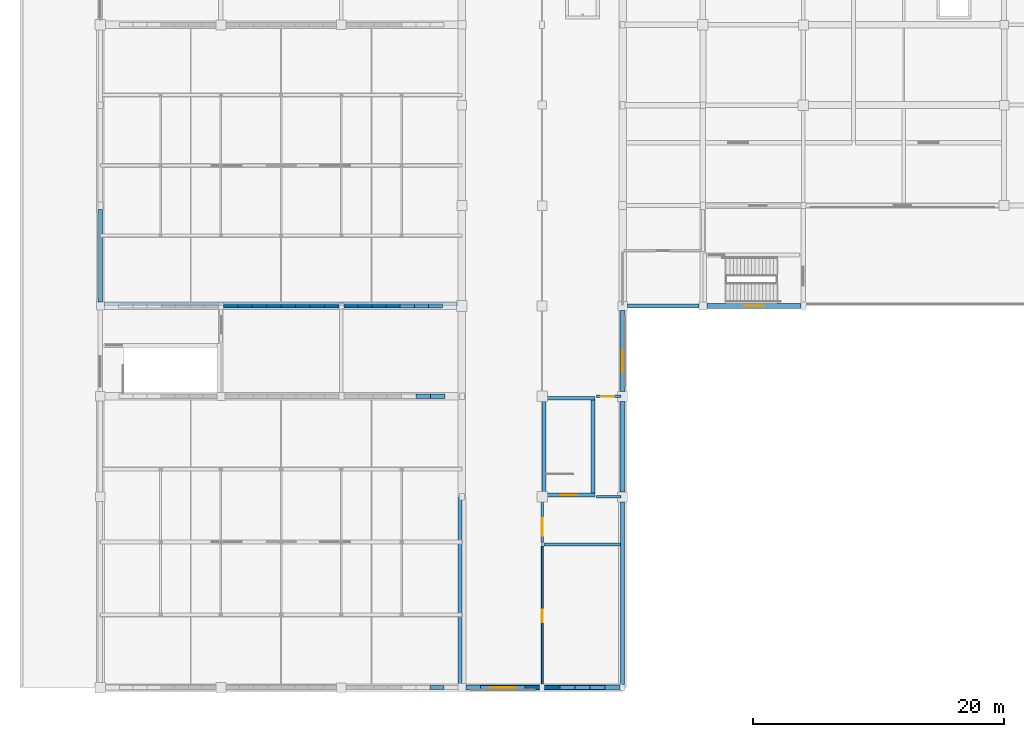
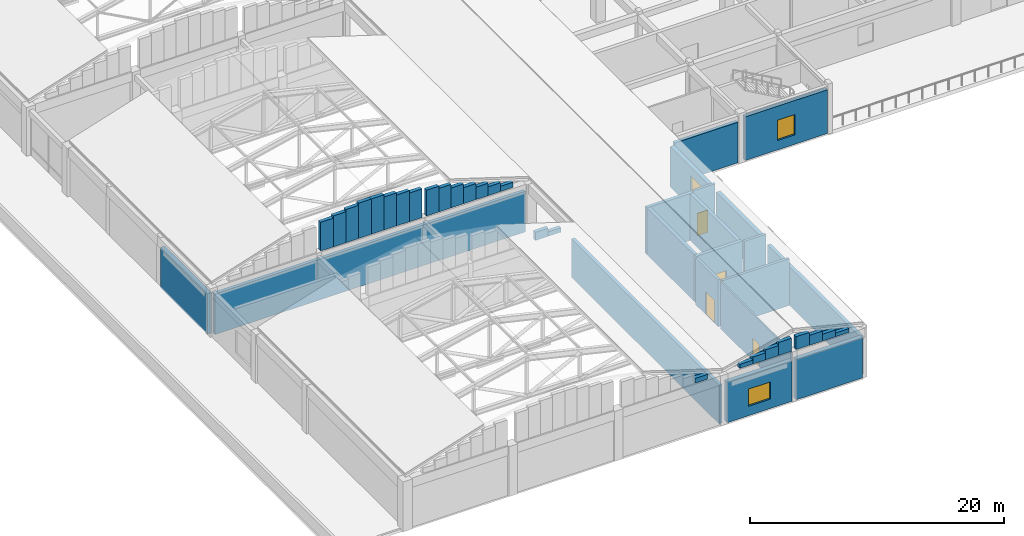
# One storey, part 44 of 61: 45 walls, 4 doors, 3 windows, 7 openings.
"""IFC4 building model written with IfcOpenShell, lengths in metres."""

from ifc_helpers import new_model, si_unit, direction, frame, frame_2d, origin, place, context, subcontext, project, spatial, rectangle, extrude, material, layer, layer_set, type_object, element, fill, save


model = new_model("IFC4")

# Units and contexts
model_context = context("Model", 3, precision=1e-05, world=origin(), true_north=direction((0.0, 1.0)))
body_context = subcontext(model_context, "Body", "Model", "MODEL_VIEW")
ifc_project = project(units=[si_unit("LENGTHUNIT", "METRE"), si_unit("AREAUNIT", "SQUARE_METRE"), si_unit("VOLUMEUNIT", "CUBIC_METRE"), si_unit("PLANEANGLEUNIT", "RADIAN"), si_unit("MASSUNIT", "GRAM", prefix="KILO")], contexts=[model_context])

# Site, building, storey
site_placement = place(None, origin())
site = spatial("IfcSite", under=ifc_project, at=site_placement, CompositionType="ELEMENT")
building_placement = place(site_placement, origin())
building = spatial("IfcBuilding", under=site, at=building_placement, Name="Vellmiral Cinema and Media Centre", CompositionType="ELEMENT")
storey_placement = place(building_placement, frame((0.0, 0.0, 10.800048828125)))
storey = spatial("IfcBuildingStorey", under=building, at=storey_placement, Name="L02", CompositionType="ELEMENT", Elevation=10.800048828125)

# Wall, opening, door
ifc_material_1 = material(Name="Concrete C40/50", Category="concrete")
ifc_layer_1 = layer(ifc_material_1, 0.2099609375, Name="Concrete C40/50")
ifc_layer_set_1 = layer_set([ifc_layer_1], Name="Concrete C40/50")
wall_type_1 = type_object("IfcWallType", Name="WL-COMP-210", PredefinedType="SOLIDWALL", material=ifc_layer_set_1)
wall_1_placement = place(storey_placement, frame((45.93994140625, 36.0, 0.0), z_axis=(0.0, 0.0, 1.0), x_axis=(1.0, 0.0, 0.0)))
wall_1 = element("IfcWall", 1, at=wall_1_placement, inside=storey, type_object=wall_type_1, Name="West Core Smoke Riser Room Wall N", PredefinedType="SOLIDWALL", context=body_context, shape_type="SweptSolid", body=[
    extrude(rectangle(XDim=1.955078125, YDim=0.2099609375, at=frame_2d((0.9775390625, 0.0))), origin(), (0.0, 0.0, 1.0), 4.5),
])
opening_1_placement = place(wall_1_placement, frame((0.360107421875, 0.0, 0.0)))
opening_1 = element("IfcOpeningElement", 2, at=opening_1_placement, cuts=wall_1, Name="Opening D-FD30B", PredefinedType="OPENING", context=body_context, shape_type="SweptSolid", body=[
    extrude(rectangle(XDim=1.0, YDim=2.14990234375, at=frame_2d((0.5, 1.074951171875))), frame((0.0, 0.116943359375, 0.0), z_axis=(0.0, -1.0, 0.0), x_axis=(1.0, 0.0, 0.0)), (0.0, 0.0, 1.0), 0.23388671875),
])
ifc_material_2 = material(Name="Steel Riser Fire Door", Category="steel")
door_type_1 = type_object("IfcDoorType", Name="DR-FD30-1000x2150", OperationType="NOTDEFINED", PredefinedType="DOOR", material=ifc_material_2)
door_1_placement = place(opening_1_placement, frame((1.0, 0.0, 0.0), z_axis=(0.0, 0.0, 1.0), x_axis=(-1.0, 0.0, 0.0)))
door_1 = element("IfcDoor", 3, at=door_1_placement, inside=storey, type_object=door_type_1, Name="West Core Smoke Riser Room Door", OperationType="SINGLE_SWING_RIGHT", OverallHeight=2.14990234375, OverallWidth=1.0, PredefinedType="DOOR", context=body_context, shape_type="SweptSolid", body=[
    extrude(rectangle(XDim=1.0, YDim=2.14990234375, at=frame_2d((0.5, 1.074951171875))), frame((0.0, 0.02490234375, 0.0), z_axis=(0.0, -1.0, 0.0), x_axis=(1.0, 0.0, 0.0)), (0.0, 0.0, 1.0), 0.050048828125),
])
fill(opening_1, door_1)

# Walls
ifc_material_3 = material(Name="Concrete C40/50", Category="concrete")
ifc_layer_2 = layer(ifc_material_3, 0.300048828125, Name="Concrete C40/50")
ifc_layer_set_2 = layer_set([ifc_layer_2], Name="Concrete C40/50")
wall_type_2 = type_object("IfcWallType", Name="WL-CORE-300", PredefinedType="SHEAR", material=ifc_layer_set_2)
wall_2_placement = place(storey_placement, frame((35.050048828125, 12.800048828125, 0.0), z_axis=(0.0, 0.0, 1.0), x_axis=(0.0, 1.0, 0.0)))
element("IfcWall", 4, at=wall_2_placement, inside=storey, type_object=wall_type_2, Name="Cinema Screen 1 Acoustic Enclosure Wall L02-E1", PredefinedType="SHEAR", context=body_context, shape_type="SweptSolid", body=[
    extrude(rectangle(XDim=23.199951171875, YDim=0.300048828125, at=frame_2d((11.60009765625, 0.0))), origin(), (0.0, 0.0, 1.0), 3.699951171875),
])
wall_3_placement = place(storey_placement, frame((6.699951171875, 43.35009765625, 0.0), z_axis=(0.0, 0.0, 1.0), x_axis=(1.0, 0.0, 0.0)))
element("IfcWall", 5, at=wall_3_placement, inside=storey, type_object=wall_type_2, Name="Cinema Screen 2 Acoustic Enclosure Wall L02-S1", PredefinedType="SHEAR", context=body_context, shape_type="SweptSolid", body=[
    extrude(rectangle(XDim=28.199951171875, YDim=0.300048828125, at=frame_2d((14.10009765625, 0.0))), origin(), (0.0, 0.0, 1.0), 3.89990234375),
])

# Wall, opening, door
wall_4_placement = place(storey_placement, frame((41.60009765625, 28.14990234375, 0.0), z_axis=(0.0, 0.0, 1.0), x_axis=(1.0, 0.0, 0.0)))
wall_4 = element("IfcWall", 6, at=wall_4_placement, inside=storey, type_object=wall_type_2, Name="Stair Core Wall ST-P1 L02-S", PredefinedType="SHEAR", context=body_context, shape_type="SweptSolid", body=[
    extrude(rectangle(XDim=4.199951171875, YDim=0.300048828125, at=frame_2d((2.10009765625, 0.0))), origin(), (0.0, 0.0, 1.0), 4.5),
])
opening_2_placement = place(wall_4_placement, frame((1.449951171875, 0.0, 0.0)))
opening_2 = element("IfcOpeningElement", 7, at=opening_2_placement, cuts=wall_4, Name="Opening D-FD30A", PredefinedType="OPENING", context=body_context, shape_type="SweptSolid", body=[
    extrude(rectangle(XDim=1.300048828125, YDim=2.179931640625, at=frame_2d((0.64990234375, 1.08984375))), frame((0.0, 0.162109375, 0.0), z_axis=(0.0, -1.0, 0.0), x_axis=(1.0, 0.0, 0.0)), (0.0, 0.0, 1.0), 0.323974609375),
])
ifc_material_4 = material(Name="Steel Stair Fire Door", Category="steel")
door_type_2 = type_object("IfcDoorType", Name="DR-FD30-1300x2180", OperationType="NOTDEFINED", PredefinedType="DOOR", material=ifc_material_4)
door_2_placement = place(opening_2_placement, origin())
door_2 = element("IfcDoor", 8, at=door_2_placement, inside=storey, type_object=door_type_2, Name="Protected Stair Door ST-P1 L02", OperationType="SINGLE_SWING_LEFT", OverallHeight=2.179931640625, OverallWidth=1.300048828125, PredefinedType="DOOR", context=body_context, shape_type="SweptSolid", body=[
    extrude(rectangle(XDim=1.300048828125, YDim=2.179931640625, at=frame_2d((0.64990234375, 1.08984375))), frame((0.0, 0.02490234375, 0.0), z_axis=(0.0, -1.0, 0.0), x_axis=(1.0, 0.0, 0.0)), (0.0, 0.0, 1.0), 0.050048828125),
])
fill(opening_2, door_2)

# Walls
wall_5_placement = place(storey_placement, frame((41.60009765625, 35.85009765625, 0.0), z_axis=(0.0, 0.0, 1.0), x_axis=(1.0, 0.0, 0.0)))
element("IfcWall", 9, at=wall_5_placement, inside=storey, type_object=wall_type_2, Name="Stair Core Wall ST-P1 L02-N", PredefinedType="SHEAR", context=body_context, shape_type="SweptSolid", body=[
    extrude(rectangle(XDim=4.199951171875, YDim=0.300048828125, at=frame_2d((2.10009765625, 0.0))), origin(), (0.0, 0.0, 1.0), 4.5),
])
for number, where, z_axis, x_axis, name in (
    (10, (41.75, 28.300048828125, 0.0), (0.0, 0.0, 1.0), (0.0, 1.0, 0.0), "Stair Core Wall ST-P1 L02-W"),
    (11, (45.64990234375, 28.300048828125, 0.0), (0.0, 0.0, 1.0), (0.0, 1.0, 0.0), "Stair Core Wall ST-P1 L02-E"),
):
    element("IfcWall", number, at=place(storey_placement, frame(where, z_axis=z_axis, x_axis=x_axis)), inside=storey, type_object=wall_type_2, Name=name, PredefinedType="SHEAR", context=body_context, shape_type="SweptSolid", body=[
        extrude(rectangle(XDim=7.39990234375, YDim=0.300048828125, at=frame_2d((3.699951171875, 0.0))), origin(), (0.0, 0.0, 1.0), 4.5),
    ])
ifc_material_5 = material(Name="Polychrome Glazed Ceramic Cladding", Category="masonry")
ifc_layer_3 = layer(ifc_material_5, 0.320068359375, Name="Polychrome Glazed Ceramic Cladding")
ifc_layer_set_3 = layer_set([ifc_layer_3], Name="Polychrome Glazed Ceramic Cladding")
wall_type_3 = type_object("IfcWallType", Name="WL-EXT-BRICK-320", PredefinedType="SOLIDWALL", material=ifc_layer_set_3)
wall_6_placement = place(storey_placement, frame((48.0, 13.050048828125, 0.0), z_axis=(0.0, 0.0, 1.0), x_axis=(0.0, 1.0, 0.0)))
element("IfcWall", 12, at=wall_6_placement, inside=storey, type_object=wall_type_3, Name="Exterior Facade Wall L02-006", PredefinedType="SOLIDWALL", context=body_context, shape_type="SweptSolid", body=[
    extrude(rectangle(XDim=14.550048828125, YDim=0.320068359375, at=frame_2d((7.27490234375, 0.0))), origin(), (0.0, 0.0, 1.0), 3.68994140625),
])
wall_7_placement = place(storey_placement, frame((48.375, 43.199951171875, 0.0), z_axis=(0.0, 0.0, 1.0), x_axis=(1.0, 0.0, 0.0)))
element("IfcWall", 13, at=wall_7_placement, inside=storey, type_object=wall_type_3, Name="Exterior Facade Wall L02-009", PredefinedType="SOLIDWALL", context=body_context, shape_type="SweptSolid", body=[
    extrude(rectangle(XDim=5.699951171875, YDim=0.320068359375, at=frame_2d((2.85009765625, 0.0))), origin(), (0.0, 0.0, 1.0), 3.89990234375),
])
ifc_material_6 = material(Name="Vosges Red Sandstone Masonry", Category="masonry")
ifc_layer_4 = layer(ifc_material_6, 0.340087890625, Name="Vosges Red Sandstone Masonry")
ifc_layer_set_4 = layer_set([ifc_layer_4], Name="Vosges Red Sandstone Masonry")
wall_type_4 = type_object("IfcWallType", Name="WL-EXT-SAND-340", PredefinedType="SOLIDWALL", material=ifc_layer_set_4)
wall_8_placement = place(storey_placement, frame((32.64990234375, 12.800048828125, 4.800048828125), z_axis=(0.0, 0.0, 1.0), x_axis=(1.0, 0.0, 0.0)))
element("IfcWall", 14, at=wall_8_placement, inside=storey, type_object=wall_type_4, Name="Cinema Screen 1 Gable End Wall S-22", PredefinedType="SOLIDWALL", context=body_context, shape_type="SweptSolid", body=[
    extrude(rectangle(XDim=1.112548828125, YDim=0.340087890625, at=frame_2d((0.55615234375, 0.0))), origin(), (0.0, 0.0, 1.0), 0.453125),
])
wall_9_placement = place(storey_placement, frame((31.550048828125, 36.0, 4.800048828125), z_axis=(0.0, 0.0, 1.0), x_axis=(1.0, 0.0, 0.0)))
element("IfcWall", 15, at=wall_9_placement, inside=storey, type_object=wall_type_4, Name="Cinema Screen 1 Gable End Wall N-21", PredefinedType="SOLIDWALL", context=body_context, shape_type="SweptSolid", body=[
    extrude(rectangle(XDim=1.14990234375, YDim=0.340087890625, at=frame_2d((0.574951171875, 0.0))), origin(), (0.0, 0.0, 1.0), 0.7880859375),
])
wall_10_placement = place(storey_placement, frame((32.699951171875, 36.0, 4.800048828125), z_axis=(0.0, 0.0, 1.0), x_axis=(1.0, 0.0, 0.0)))
element("IfcWall", 16, at=wall_10_placement, inside=storey, type_object=wall_type_4, Name="Cinema Screen 1 Gable End Wall N-22", PredefinedType="SOLIDWALL", context=body_context, shape_type="SweptSolid", body=[
    extrude(rectangle(XDim=1.150146484375, YDim=0.340087890625, at=frame_2d((0.5751953125, 0.0))), origin(), (0.0, 0.0, 1.0), 0.425537109375),
])
wall_11_placement = place(storey_placement, frame((16.199951171875, 43.199951171875, 4.800048828125), z_axis=(0.0, 0.0, 1.0), x_axis=(1.0, 0.0, 0.0)))
element("IfcWall", 17, at=wall_11_placement, inside=storey, type_object=wall_type_4, Name="Cinema Screen 2 Gable End Wall S-8", PredefinedType="SOLIDWALL", context=body_context, shape_type="SweptSolid", body=[
    extrude(rectangle(XDim=1.150146484375, YDim=0.340087890625, at=frame_2d((0.5751953125, 0.0))), origin(), (0.0, 0.0, 1.0), 2.751953125),
])
wall_12_placement = place(storey_placement, frame((17.35009765625, 43.199951171875, 4.800048828125), z_axis=(0.0, 0.0, 1.0), x_axis=(1.0, 0.0, 0.0)))
element("IfcWall", 18, at=wall_12_placement, inside=storey, type_object=wall_type_4, Name="Cinema Screen 2 Gable End Wall S-9", PredefinedType="SOLIDWALL", context=body_context, shape_type="SweptSolid", body=[
    extrude(rectangle(XDim=1.14990234375, YDim=0.340087890625, at=frame_2d((0.574951171875, 0.0))), origin(), (0.0, 0.0, 1.0), 2.965087890625),
])
wall_13_placement = place(storey_placement, frame((18.5, 43.199951171875, 4.800048828125), z_axis=(0.0, 0.0, 1.0), x_axis=(1.0, 0.0, 0.0)))
element("IfcWall", 19, at=wall_13_placement, inside=storey, type_object=wall_type_4, Name="Cinema Screen 2 Gable End Wall S-10", PredefinedType="SOLIDWALL", context=body_context, shape_type="SweptSolid", body=[
    extrude(rectangle(XDim=1.14990234375, YDim=0.340087890625, at=frame_2d((0.574951171875, 0.0))), origin(), (0.0, 0.0, 1.0), 3.17822265625),
])
wall_14_placement = place(storey_placement, frame((19.64990234375, 43.199951171875, 4.800048828125), z_axis=(0.0, 0.0, 1.0), x_axis=(1.0, 0.0, 0.0)))
element("IfcWall", 20, at=wall_14_placement, inside=storey, type_object=wall_type_4, Name="Cinema Screen 2 Gable End Wall S-11", PredefinedType="SOLIDWALL", context=body_context, shape_type="SweptSolid", body=[
    extrude(rectangle(XDim=1.150146484375, YDim=0.340087890625, at=frame_2d((0.5751953125, 0.0))), origin(), (0.0, 0.0, 1.0), 3.391357421875),
])
wall_15_placement = place(storey_placement, frame((20.800048828125, 43.199951171875, 4.800048828125), z_axis=(0.0, 0.0, 1.0), x_axis=(1.0, 0.0, 0.0)))
element("IfcWall", 21, at=wall_15_placement, inside=storey, type_object=wall_type_4, Name="Cinema Screen 2 Gable End Wall S-12", PredefinedType="SOLIDWALL", context=body_context, shape_type="SweptSolid", body=[
    extrude(rectangle(XDim=1.14990234375, YDim=0.340087890625, at=frame_2d((0.574951171875, 0.0))), origin(), (0.0, 0.0, 1.0), 3.391357421875),
])
wall_16_placement = place(storey_placement, frame((21.949951171875, 43.199951171875, 4.800048828125), z_axis=(0.0, 0.0, 1.0), x_axis=(1.0, 0.0, 0.0)))
element("IfcWall", 22, at=wall_16_placement, inside=storey, type_object=wall_type_4, Name="Cinema Screen 2 Gable End Wall S-13", PredefinedType="SOLIDWALL", context=body_context, shape_type="SweptSolid", body=[
    extrude(rectangle(XDim=1.150146484375, YDim=0.340087890625, at=frame_2d((0.5751953125, 0.0))), origin(), (0.0, 0.0, 1.0), 3.17822265625),
])
wall_17_placement = place(storey_placement, frame((23.10009765625, 43.199951171875, 4.800048828125), z_axis=(0.0, 0.0, 1.0), x_axis=(1.0, 0.0, 0.0)))
element("IfcWall", 23, at=wall_17_placement, inside=storey, type_object=wall_type_4, Name="Cinema Screen 2 Gable End Wall S-14", PredefinedType="SOLIDWALL", context=body_context, shape_type="SweptSolid", body=[
    extrude(rectangle(XDim=1.14990234375, YDim=0.340087890625, at=frame_2d((0.574951171875, 0.0))), origin(), (0.0, 0.0, 1.0), 2.965087890625),
])
wall_18_placement = place(storey_placement, frame((24.25, 43.199951171875, 4.800048828125), z_axis=(0.0, 0.0, 1.0), x_axis=(1.0, 0.0, 0.0)))
element("IfcWall", 24, at=wall_18_placement, inside=storey, type_object=wall_type_4, Name="Cinema Screen 2 Gable End Wall S-15", PredefinedType="SOLIDWALL", context=body_context, shape_type="SweptSolid", body=[
    extrude(rectangle(XDim=1.14990234375, YDim=0.340087890625, at=frame_2d((0.574951171875, 0.0))), origin(), (0.0, 0.0, 1.0), 2.751953125),
])
wall_19_placement = place(storey_placement, frame((25.800048828125, 43.199951171875, 4.800048828125), z_axis=(0.0, 0.0, 1.0), x_axis=(1.0, 0.0, 0.0)))
element("IfcWall", 25, at=wall_19_placement, inside=storey, type_object=wall_type_4, Name="Cinema Screen 2 Gable End Wall S-16", PredefinedType="SOLIDWALL", context=body_context, shape_type="SweptSolid", body=[
    extrude(rectangle(XDim=1.121826171875, YDim=0.340087890625, at=frame_2d((0.56103515625, 0.0))), origin(), (0.0, 0.0, 1.0), 2.469970703125),
])
wall_20_placement = place(storey_placement, frame((26.921875, 43.199951171875, 4.800048828125), z_axis=(0.0, 0.0, 1.0), x_axis=(1.0, 0.0, 0.0)))
element("IfcWall", 26, at=wall_20_placement, inside=storey, type_object=wall_type_4, Name="Cinema Screen 2 Gable End Wall S-17", PredefinedType="SOLIDWALL", context=body_context, shape_type="SweptSolid", body=[
    extrude(rectangle(XDim=1.121826171875, YDim=0.340087890625, at=frame_2d((0.56103515625, 0.0))), origin(), (0.0, 0.0, 1.0), 2.25634765625),
])
wall_21_placement = place(storey_placement, frame((28.043701171875, 43.199951171875, 4.800048828125), z_axis=(0.0, 0.0, 1.0), x_axis=(1.0, 0.0, 0.0)))
element("IfcWall", 27, at=wall_21_placement, inside=storey, type_object=wall_type_4, Name="Cinema Screen 2 Gable End Wall S-18", PredefinedType="SOLIDWALL", context=body_context, shape_type="SweptSolid", body=[
    extrude(rectangle(XDim=1.121826171875, YDim=0.340087890625, at=frame_2d((0.56103515625, 0.0))), origin(), (0.0, 0.0, 1.0), 1.902587890625),
])
wall_22_placement = place(storey_placement, frame((29.16552734375, 43.199951171875, 4.800048828125), z_axis=(0.0, 0.0, 1.0), x_axis=(1.0, 0.0, 0.0)))
element("IfcWall", 28, at=wall_22_placement, inside=storey, type_object=wall_type_4, Name="Cinema Screen 2 Gable End Wall S-19", PredefinedType="SOLIDWALL", context=body_context, shape_type="SweptSolid", body=[
    extrude(rectangle(XDim=1.1220703125, YDim=0.340087890625, at=frame_2d((0.56103515625, 0.0))), origin(), (0.0, 0.0, 1.0), 1.548828125),
])
wall_23_placement = place(storey_placement, frame((30.28759765625, 43.199951171875, 4.800048828125), z_axis=(0.0, 0.0, 1.0), x_axis=(1.0, 0.0, 0.0)))
element("IfcWall", 29, at=wall_23_placement, inside=storey, type_object=wall_type_4, Name="Cinema Screen 2 Gable End Wall S-20", PredefinedType="SOLIDWALL", context=body_context, shape_type="SweptSolid", body=[
    extrude(rectangle(XDim=1.121826171875, YDim=0.340087890625, at=frame_2d((0.56103515625, 0.0))), origin(), (0.0, 0.0, 1.0), 1.195068359375),
])
wall_24_placement = place(storey_placement, frame((31.409423828125, 43.199951171875, 4.800048828125), z_axis=(0.0, 0.0, 1.0), x_axis=(1.0, 0.0, 0.0)))
element("IfcWall", 30, at=wall_24_placement, inside=storey, type_object=wall_type_4, Name="Cinema Screen 2 Gable End Wall S-21", PredefinedType="SOLIDWALL", context=body_context, shape_type="SweptSolid", body=[
    extrude(rectangle(XDim=1.121826171875, YDim=0.340087890625, at=frame_2d((0.56103515625, 0.0))), origin(), (0.0, 0.0, 1.0), 0.84130859375),
])
wall_25_placement = place(storey_placement, frame((32.53125, 43.199951171875, 4.800048828125), z_axis=(0.0, 0.0, 1.0), x_axis=(1.0, 0.0, 0.0)))
element("IfcWall", 31, at=wall_25_placement, inside=storey, type_object=wall_type_4, Name="Cinema Screen 2 Gable End Wall S-22", PredefinedType="SOLIDWALL", context=body_context, shape_type="SweptSolid", body=[
    extrude(rectangle(XDim=1.121826171875, YDim=0.340087890625, at=frame_2d((0.56103515625, 0.0))), origin(), (0.0, 0.0, 1.0), 0.487548828125),
])
wall_26_placement = place(storey_placement, frame((36.699951171875, 12.800048828125, 4.800048828125), z_axis=(0.0, 0.0, 1.0), x_axis=(1.0, 0.0, 0.0)))
element("IfcWall", 32, at=wall_26_placement, inside=storey, type_object=wall_type_4, Name="West Premiere Concourse Gallery Vault Gable End Wall S-1", PredefinedType="SOLIDWALL", context=body_context, shape_type="SweptSolid", body=[
    extrude(rectangle(XDim=1.175048828125, YDim=0.340087890625, at=frame_2d((0.58740234375, 0.0))), origin(), (0.0, 0.0, 1.0), 0.3740234375),
])
wall_27_placement = place(storey_placement, frame((37.875, 12.800048828125, 4.800048828125), z_axis=(0.0, 0.0, 1.0), x_axis=(1.0, 0.0, 0.0)))
element("IfcWall", 33, at=wall_27_placement, inside=storey, type_object=wall_type_4, Name="West Premiere Concourse Gallery Vault Gable End Wall S-2", PredefinedType="SOLIDWALL", context=body_context, shape_type="SweptSolid", body=[
    extrude(rectangle(XDim=1.175048828125, YDim=0.340087890625, at=frame_2d((0.58740234375, 0.0))), origin(), (0.0, 0.0, 1.0), 0.6669921875),
])
wall_28_placement = place(storey_placement, frame((39.050048828125, 12.800048828125, 4.800048828125), z_axis=(0.0, 0.0, 1.0), x_axis=(1.0, 0.0, 0.0)))
element("IfcWall", 34, at=wall_28_placement, inside=storey, type_object=wall_type_4, Name="West Premiere Concourse Gallery Vault Gable End Wall S-3", PredefinedType="SOLIDWALL", context=body_context, shape_type="SweptSolid", body=[
    extrude(rectangle(XDim=1.175048828125, YDim=0.340087890625, at=frame_2d((0.58740234375, 0.0))), origin(), (0.0, 0.0, 1.0), 0.959716796875),
])
wall_29_placement = place(storey_placement, frame((40.22509765625, 12.800048828125, 4.800048828125), z_axis=(0.0, 0.0, 1.0), x_axis=(1.0, 0.0, 0.0)))
element("IfcWall", 35, at=wall_29_placement, inside=storey, type_object=wall_type_4, Name="West Premiere Concourse Gallery Vault Gable End Wall S-4", PredefinedType="SOLIDWALL", context=body_context, shape_type="SweptSolid", body=[
    extrude(rectangle(XDim=1.1748046875, YDim=0.340087890625, at=frame_2d((0.58740234375, 0.0))), origin(), (0.0, 0.0, 1.0), 1.252685546875),
])
wall_30_placement = place(storey_placement, frame((41.800048828125, 12.800048828125, 4.800048828125), z_axis=(0.0, 0.0, 1.0), x_axis=(1.0, 0.0, 0.0)))
element("IfcWall", 36, at=wall_30_placement, inside=storey, type_object=wall_type_4, Name="West Premiere Concourse Gallery Vault Gable End Wall S-5", PredefinedType="SOLIDWALL", context=body_context, shape_type="SweptSolid", body=[
    extrude(rectangle(XDim=1.199951171875, YDim=0.340087890625, at=frame_2d((0.60009765625, 0.0))), origin(), (0.0, 0.0, 1.0), 1.24658203125),
])
wall_31_placement = place(storey_placement, frame((43.0, 12.800048828125, 4.800048828125), z_axis=(0.0, 0.0, 1.0), x_axis=(1.0, 0.0, 0.0)))
element("IfcWall", 37, at=wall_31_placement, inside=storey, type_object=wall_type_4, Name="West Premiere Concourse Gallery Vault Gable End Wall S-6", PredefinedType="SOLIDWALL", context=body_context, shape_type="SweptSolid", body=[
    extrude(rectangle(XDim=1.199951171875, YDim=0.340087890625, at=frame_2d((0.60009765625, 0.0))), origin(), (0.0, 0.0, 1.0), 0.947265625),
])
wall_32_placement = place(storey_placement, frame((44.199951171875, 12.800048828125, 4.800048828125), z_axis=(0.0, 0.0, 1.0), x_axis=(1.0, 0.0, 0.0)))
element("IfcWall", 38, at=wall_32_placement, inside=storey, type_object=wall_type_4, Name="West Premiere Concourse Gallery Vault Gable End Wall S-7", PredefinedType="SOLIDWALL", context=body_context, shape_type="SweptSolid", body=[
    extrude(rectangle(XDim=1.199951171875, YDim=0.340087890625, at=frame_2d((0.60009765625, 0.0))), origin(), (0.0, 0.0, 1.0), 0.648193359375),
])
wall_33_placement = place(storey_placement, frame((45.39990234375, 12.800048828125, 4.800048828125), z_axis=(0.0, 0.0, 1.0), x_axis=(1.0, 0.0, 0.0)))
element("IfcWall", 39, at=wall_33_placement, inside=storey, type_object=wall_type_4, Name="West Premiere Concourse Gallery Vault Gable End Wall S-8", PredefinedType="SOLIDWALL", context=body_context, shape_type="SweptSolid", body=[
    extrude(rectangle(XDim=1.2001953125, YDim=0.340087890625, at=frame_2d((0.60009765625, 0.0))), origin(), (0.0, 0.0, 1.0), 0.34912109375),
])

# Wall, opening, window
ifc_material_7 = material(Name="Vosges Red Sandstone Masonry", Category="masonry")
ifc_layer_5 = layer(ifc_material_7, 0.3798828125, Name="Vosges Red Sandstone Masonry")
ifc_layer_set_5 = layer_set([ifc_layer_5], Name="Vosges Red Sandstone Masonry")
wall_type_5 = type_object("IfcWallType", Name="WL-EXT-SAND-380", PredefinedType="SOLIDWALL", material=ifc_layer_set_5)
wall_34_placement = place(storey_placement, frame((35.52490234375, 12.800048828125, 0.0), z_axis=(0.0, 0.0, 1.0), x_axis=(1.0, 0.0, 0.0)))
wall_34 = element("IfcWall", 40, at=wall_34_placement, inside=storey, type_object=wall_type_5, Name="Exterior Facade Wall L02-004", PredefinedType="SOLIDWALL", context=body_context, shape_type="SweptSolid", body=[
    extrude(rectangle(XDim=5.875, YDim=0.3798828125, at=frame_2d((2.9375, 0.0))), origin(), (0.0, 0.0, 1.0), 3.889892578125),
])
opening_3_placement = place(wall_34_placement, frame((1.9375, 0.0, 0.89990234375)))
opening_3 = element("IfcOpeningElement", 41, at=opening_3_placement, cuts=wall_34, Name="Opening WN-14", PredefinedType="OPENING", context=body_context, shape_type="SweptSolid", body=[
    extrude(rectangle(XDim=2.0, YDim=1.64990234375, at=frame_2d((1.0, 0.824951171875))), frame((0.0, 0.201904296875, 0.0), z_axis=(0.0, -1.0, 0.0), x_axis=(1.0, 0.0, 0.0)), (0.0, 0.0, 1.0), 0.40380859375),
])
ifc_material_8 = material(Name="Thermally Broken Aluminium Triple Glazing", Category="aluminium")
window_type_1 = type_object("IfcWindowType", Name="WN-2000x1650", PartitioningType="DOUBLE_PANEL_HORIZONTAL", PredefinedType="WINDOW", material=ifc_material_8)
window_1_placement = place(opening_3_placement, origin())
window_1 = element("IfcWindow", 42, at=window_1_placement, inside=storey, type_object=window_type_1, Name="Window L02-004", OverallHeight=1.64990234375, OverallWidth=2.0, PartitioningType="DOUBLE_PANEL_HORIZONTAL", PredefinedType="WINDOW", context=body_context, shape_type="SweptSolid", body=[
    extrude(rectangle(XDim=2.0, YDim=1.64990234375, at=frame_2d((1.0, 0.824951171875))), frame((0.0, 0.030029296875, 0.0), z_axis=(0.0, -1.0, 0.0), x_axis=(1.0, 0.0, 0.0)), (0.0, 0.0, 1.0), 0.06005859375),
])
fill(opening_3, window_1)

# Walls
wall_35_placement = place(storey_placement, frame((41.800048828125, 12.800048828125, 0.0), z_axis=(0.0, 0.0, 1.0), x_axis=(1.0, 0.0, 0.0)))
element("IfcWall", 43, at=wall_35_placement, inside=storey, type_object=wall_type_5, Name="Exterior Facade Wall L02-005", PredefinedType="SOLIDWALL", context=body_context, shape_type="SweptSolid", body=[
    extrude(rectangle(XDim=6.0, YDim=0.3798828125, at=frame_2d((3.0, 0.0))), origin(), (0.0, 0.0, 1.0), 3.889892578125),
])
wall_36_placement = place(storey_placement, frame((48.0, 28.39990234375, 0.0), z_axis=(0.0, 0.0, 1.0), x_axis=(0.0, 1.0, 0.0)))
element("IfcWall", 44, at=wall_36_placement, inside=storey, type_object=wall_type_5, Name="Exterior Facade Wall L02-007", PredefinedType="SOLIDWALL", context=body_context, shape_type="SweptSolid", body=[
    extrude(rectangle(XDim=7.2001953125, YDim=0.3798828125, at=frame_2d((3.60009765625, 0.0))), origin(), (0.0, 0.0, 1.0), 3.89990234375),
])

# Wall, opening, window
wall_37_placement = place(storey_placement, frame((48.0, 36.39990234375, 0.0), z_axis=(0.0, 0.0, 1.0), x_axis=(0.0, 1.0, 0.0)))
wall_37 = element("IfcWall", 45, at=wall_37_placement, inside=storey, type_object=wall_type_5, Name="Exterior Facade Wall L02-008", PredefinedType="SOLIDWALL", context=body_context, shape_type="SweptSolid", body=[
    extrude(rectangle(XDim=6.425048828125, YDim=0.3798828125, at=frame_2d((3.21240234375, 0.0))), origin(), (0.0, 0.0, 1.0), 3.889892578125),
])
opening_4_placement = place(wall_37_placement, frame((1.46240234375, 0.0, 0.89990234375)))
opening_4 = element("IfcOpeningElement", 46, at=opening_4_placement, cuts=wall_37, Name="Opening WN-03", PredefinedType="OPENING", context=body_context, shape_type="SweptSolid", body=[
    extrude(rectangle(XDim=1.800048828125, YDim=2.10009765625, at=frame_2d((0.89990234375, 1.050048828125))), frame((0.0, 0.201904296875, 0.0), z_axis=(0.0, -1.0, 0.0), x_axis=(1.0, 0.0, 0.0)), (0.0, 0.0, 1.0), 0.40380859375),
])
ifc_material_9 = material(Name="Thermally Broken Aluminium Triple Glazing", Category="aluminium")
window_type_2 = type_object("IfcWindowType", Name="WN-1800x2100", PartitioningType="DOUBLE_PANEL_VERTICAL", PredefinedType="WINDOW", material=ifc_material_9)
window_2_placement = place(opening_4_placement, origin())
window_2 = element("IfcWindow", 47, at=window_2_placement, inside=storey, type_object=window_type_2, Name="Window L02-008", OverallHeight=2.10009765625, OverallWidth=1.800048828125, PartitioningType="DOUBLE_PANEL_VERTICAL", PredefinedType="WINDOW", context=body_context, shape_type="SweptSolid", body=[
    extrude(rectangle(XDim=1.800048828125, YDim=2.10009765625, at=frame_2d((0.89990234375, 1.050048828125))), frame((0.0, 0.030029296875, 0.0), z_axis=(0.0, -1.0, 0.0), x_axis=(1.0, 0.0, 0.0)), (0.0, 0.0, 1.0), 0.06005859375),
])
fill(opening_4, window_2)

wall_38_placement = place(storey_placement, frame((54.72509765625, 43.199951171875, 0.0), z_axis=(0.0, 0.0, 1.0), x_axis=(1.0, 0.0, 0.0)))
wall_38 = element("IfcWall", 48, at=wall_38_placement, inside=storey, type_object=wall_type_5, Name="Exterior Facade Wall L02-010", PredefinedType="SOLIDWALL", context=body_context, shape_type="SweptSolid", body=[
    extrude(rectangle(XDim=7.474853515625, YDim=0.3798828125, at=frame_2d((3.7373046875, 0.0))), origin(), (0.0, 0.0, 1.0), 4.195068359375),
])
opening_5_placement = place(wall_38_placement, frame((2.9375, 0.0, 0.89990234375)))
opening_5 = element("IfcOpeningElement", 49, at=opening_5_placement, cuts=wall_38, Name="Opening WN-05", PredefinedType="OPENING", context=body_context, shape_type="SweptSolid", body=[
    extrude(rectangle(XDim=1.60009765625, YDim=1.949951171875, at=frame_2d((0.800048828125, 0.97509765625))), frame((0.0, 0.201904296875, 0.0), z_axis=(0.0, -1.0, 0.0), x_axis=(1.0, 0.0, 0.0)), (0.0, 0.0, 1.0), 0.40380859375),
])
ifc_material_10 = material(Name="Thermally Broken Aluminium Triple Glazing", Category="aluminium")
window_type_3 = type_object("IfcWindowType", Name="WN-1600x1950", PartitioningType="DOUBLE_PANEL_VERTICAL", PredefinedType="WINDOW", material=ifc_material_10)
window_3_placement = place(opening_5_placement, origin())
window_3 = element("IfcWindow", 50, at=window_3_placement, inside=storey, type_object=window_type_3, Name="Window L02-010", OverallHeight=1.949951171875, OverallWidth=1.60009765625, PartitioningType="DOUBLE_PANEL_VERTICAL", PredefinedType="WINDOW", context=body_context, shape_type="SweptSolid", body=[
    extrude(rectangle(XDim=1.60009765625, YDim=1.949951171875, at=frame_2d((0.800048828125, 0.97509765625))), frame((0.0, 0.030029296875, 0.0), z_axis=(0.0, -1.0, 0.0), x_axis=(1.0, 0.0, 0.0)), (0.0, 0.0, 1.0), 0.06005859375),
])
fill(opening_5, window_3)

# Walls
wall_39_placement = place(storey_placement, frame((6.39990234375, 50.89990234375, 0.0), z_axis=(0.0, 0.0, 1.0), x_axis=(0.0, -1.0, 0.0)))
element("IfcWall", 51, at=wall_39_placement, inside=storey, type_object=wall_type_5, Name="Exterior Facade Wall L02-080", PredefinedType="SOLIDWALL", context=body_context, shape_type="SweptSolid", body=[
    extrude(rectangle(XDim=7.375, YDim=0.3798828125, at=frame_2d((3.6875, 0.0))), origin(), (0.0, 0.0, 1.0), 3.89990234375),
])
ifc_material_11 = material(Name="Concrete C40/50", Category="concrete")
ifc_layer_6 = layer(ifc_material_11, 0.22998046875, Name="Concrete C40/50")
ifc_layer_set_6 = layer_set([ifc_layer_6], Name="Concrete C40/50")
wall_type_6 = type_object("IfcWallType", Name="WL-FFL-230", PredefinedType="SOLIDWALL", material=ifc_layer_set_6)
wall_40_placement = place(storey_placement, frame((41.739990234375, 24.199951171875, 0.0), z_axis=(0.0, 0.0, 1.0), x_axis=(1.0, 0.0, 0.0)))
element("IfcWall", 52, at=wall_40_placement, inside=storey, type_object=wall_type_6, Name="Firefighting Stair Lobby ST-P1 Wall S", PredefinedType="SOLIDWALL", context=body_context, shape_type="SweptSolid", body=[
    extrude(rectangle(XDim=6.0849609375, YDim=0.22998046875, at=frame_2d((3.04248046875, 0.0))), origin(), (0.0, 0.0, 1.0), 4.5),
])
wall_41_placement = place(storey_placement, frame((45.93994140625, 28.0, 0.0), z_axis=(0.0, 0.0, 1.0), x_axis=(1.0, 0.0, 0.0)))
element("IfcWall", 53, at=wall_41_placement, inside=storey, type_object=wall_type_6, Name="Firefighting Stair Lobby ST-P1 Wall N", PredefinedType="SOLIDWALL", context=body_context, shape_type="SweptSolid", body=[
    extrude(rectangle(XDim=1.955078125, YDim=0.22998046875, at=frame_2d((0.9775390625, 0.0))), origin(), (0.0, 0.0, 1.0), 4.5),
])

# Wall, opening, door
wall_42_placement = place(storey_placement, frame((41.60009765625, 24.340087890625, 0.0), z_axis=(0.0, 0.0, 1.0), x_axis=(0.0, 1.0, 0.0)))
wall_42 = element("IfcWall", 54, at=wall_42_placement, inside=storey, type_object=wall_type_6, Name="Firefighting Stair Lobby ST-P1 Wall W", PredefinedType="SOLIDWALL", context=body_context, shape_type="SweptSolid", body=[
    extrude(rectangle(XDim=3.52001953125, YDim=0.22998046875, at=frame_2d((1.760009765625, 0.0))), origin(), (0.0, 0.0, 1.0), 4.5),
])
opening_6_placement = place(wall_42_placement, frame((0.56005859375, 0.0, 0.0)))
opening_6 = element("IfcOpeningElement", 55, at=opening_6_placement, cuts=wall_42, Name="Opening D-FD60B", PredefinedType="OPENING", context=body_context, shape_type="SweptSolid", body=[
    extrude(rectangle(XDim=1.39990234375, YDim=2.199951171875, at=frame_2d((0.699951171875, 1.10009765625))), frame((0.0, 0.126953125, 0.0), z_axis=(0.0, -1.0, 0.0), x_axis=(1.0, 0.0, 0.0)), (0.0, 0.0, 1.0), 0.25390625),
])
ifc_material_12 = material(Name="Steel Fire Door", Category="steel")
door_type_3 = type_object("IfcDoorType", Name="DR-FD60-1400x2200", OperationType="NOTDEFINED", PredefinedType="DOOR", material=ifc_material_12)
door_3_placement = place(opening_6_placement, frame((1.39990234375, 0.0, 0.0), z_axis=(0.0, 0.0, 1.0), x_axis=(-1.0, 0.0, 0.0)))
door_3 = element("IfcDoor", 56, at=door_3_placement, inside=storey, type_object=door_type_3, Name="Firefighting Stair Lobby ST-P1 Door", OperationType="SINGLE_SWING_RIGHT", OverallHeight=2.199951171875, OverallWidth=1.39990234375, PredefinedType="DOOR", context=body_context, shape_type="SweptSolid", body=[
    extrude(rectangle(XDim=1.39990234375, YDim=2.199951171875, at=frame_2d((0.699951171875, 1.10009765625))), frame((0.0, 0.02490234375, 0.0), z_axis=(0.0, -1.0, 0.0), x_axis=(1.0, 0.0, 0.0)), (0.0, 0.0, 1.0), 0.050048828125),
])
fill(opening_6, door_3)

ifc_material_13 = material(Name="Gypsum Plasterboard")
ifc_layer_7 = layer(ifc_material_13, 0.02490234375, Name="Gypsum Plasterboard", Category="gypsum")
ifc_material_14 = material(Name="Mineral Wool Acoustic Insulation", Category="insulation")
ifc_layer_8 = layer(ifc_material_14, 0.080078125, Name="Mineral Wool Acoustic Insulation", Category="insulation")
ifc_layer_9 = layer(ifc_material_13, 0.02490234375, Name="Gypsum Plasterboard", Category="gypsum")
ifc_layer_set_7 = layer_set([ifc_layer_7, ifc_layer_8, ifc_layer_9], Name="Gypsum Plasterboard")
wall_type_7 = type_object("IfcWallType", Name="WL-PART-130", PredefinedType="PARTITIONING", material=ifc_layer_set_7)
wall_43_placement = place(storey_placement, frame((41.60009765625, 13.0048828125, 0.0), z_axis=(0.0, 0.0, 1.0), x_axis=(0.0, 1.0, 0.0)))
wall_43 = element("IfcWall", 57, at=wall_43_placement, inside=storey, type_object=wall_type_7, Name="Audio Technical Store Room Wall W", PredefinedType="PARTITIONING", context=body_context, shape_type="SweptSolid", body=[
    extrude(rectangle(XDim=11.05517578125, YDim=0.1298828125, at=frame_2d((5.527587890625, 0.0))), origin(), (0.0, 0.0, 1.0), 4.5),
])
opening_7_placement = place(wall_43_placement, frame((4.9951171875, 0.0, 0.0)))
opening_7 = element("IfcOpeningElement", 58, at=opening_7_placement, cuts=wall_43, Name="Opening D-I08", PredefinedType="OPENING", context=body_context, shape_type="SweptSolid", body=[
    extrude(rectangle(XDim=1.0, YDim=2.14990234375, at=frame_2d((0.5, 1.074951171875))), frame((0.0, 0.076904296875, 0.0), z_axis=(0.0, -1.0, 0.0), x_axis=(1.0, 0.0, 0.0)), (0.0, 0.0, 1.0), 0.15380859375),
])
ifc_material_15 = material(Name="Laminated Timber Door", Category="wood")
door_type_4 = type_object("IfcDoorType", Name="DR-INT-1000x2150", OperationType="NOTDEFINED", PredefinedType="DOOR", material=ifc_material_15)
door_4_placement = place(opening_7_placement, frame((1.0, 0.0, 0.0), z_axis=(0.0, 0.0, 1.0), x_axis=(-1.0, 0.0, 0.0)))
door_4 = element("IfcDoor", 59, at=door_4_placement, inside=storey, type_object=door_type_4, Name="Audio Technical Store Room Door", OperationType="SINGLE_SWING_RIGHT", OverallHeight=2.14990234375, OverallWidth=1.0, PredefinedType="DOOR", context=body_context, shape_type="SweptSolid", body=[
    extrude(rectangle(XDim=1.0, YDim=2.14990234375, at=frame_2d((0.5, 1.074951171875))), frame((0.0, 0.02490234375, 0.0), z_axis=(0.0, -1.0, 0.0), x_axis=(1.0, 0.0, 0.0)), (0.0, 0.0, 1.0), 0.050048828125),
])
fill(opening_7, door_4)

save(model, "model.ifc")
